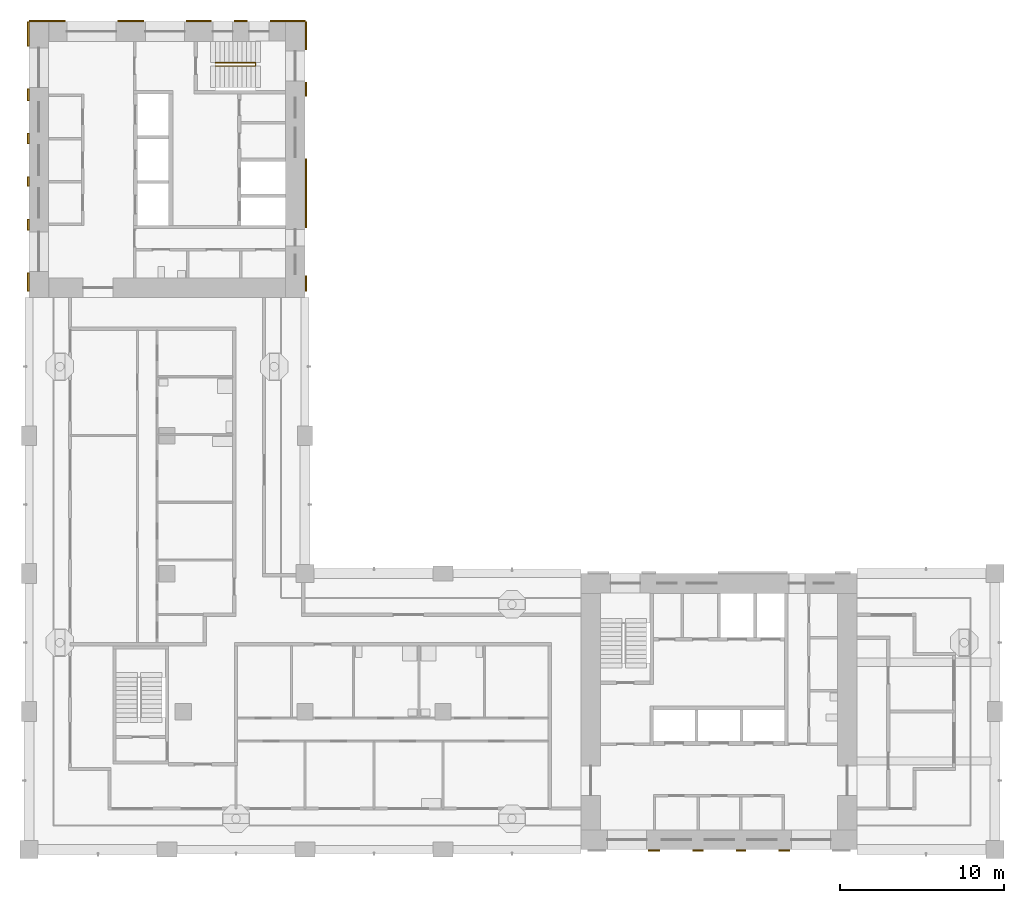
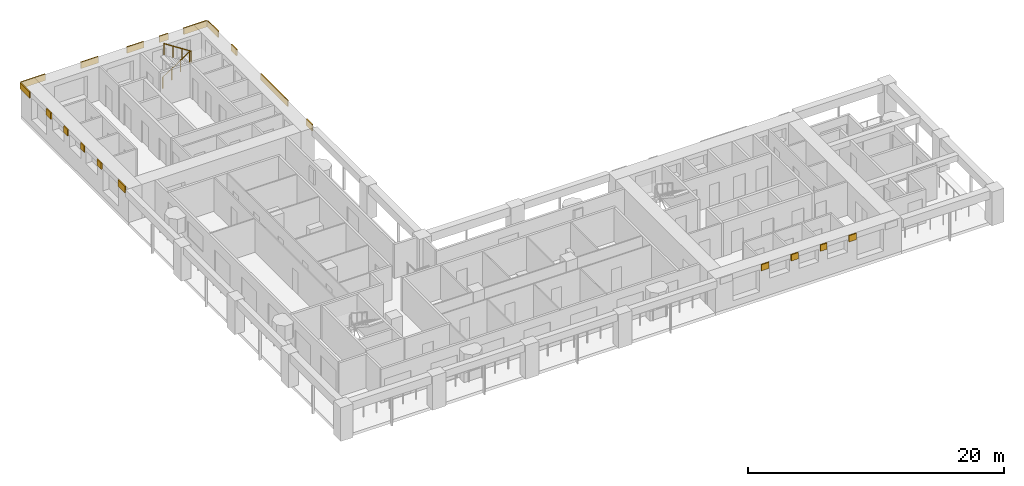
# One storey, part 10 of 13: 19 shading devices, 1 railing.
"""IFC4 building model written with IfcOpenShell, lengths in metres."""

from ifc_helpers import new_model, si_unit, direction, frame, origin, origin_2d, place, context, subcontext, project, spatial, rectangle, circle, extrude, material, layer, layer_set, type_object, element, save


model = new_model("IFC4")

# Units and contexts
model_context = context("Model", 3, precision=1e-05, world=origin(), true_north=direction((0.0, 1.0)))
body_context = subcontext(model_context, "Body", "Model", "MODEL_VIEW")
ifc_project = project(units=[si_unit("LENGTHUNIT", "METRE"), si_unit("AREAUNIT", "SQUARE_METRE"), si_unit("VOLUMEUNIT", "CUBIC_METRE"), si_unit("PLANEANGLEUNIT", "RADIAN"), si_unit("MASSUNIT", "GRAM", prefix="KILO")], contexts=[model_context])

# Site, building, storey
site_placement = place(None, origin())
site = spatial("IfcSite", under=ifc_project, at=site_placement, CompositionType="ELEMENT")
building_placement = place(site_placement, origin())
building = spatial("IfcBuilding", under=site, at=building_placement, Name="Vermilion Gate Residences", CompositionType="ELEMENT")
storey_placement = place(building_placement, frame((0.0, 0.0, 189.699951171875)))
storey = spatial("IfcBuildingStorey", under=building, at=storey_placement, Name="L49", CompositionType="ELEMENT", Elevation=189.699951171875)

# Railing
ifc_material_1 = material(Name="Steel S355", Category="steel")
railing_type = type_object("IfcRailingType", Name="STAIR GUARD 1100 STEEL", PredefinedType="GUARDRAIL", material=ifc_material_1)
railing_placement = place(storey_placement, frame((19.75, 56.300048828125, 0.175048828125)))
element("IfcRailing", 1, at=railing_placement, inside=storey, type_object=railing_type, Name="Stair well guard STB1-49", PredefinedType="GUARDRAIL", context=body_context, shape_type="SweptSolid", body=[
    extrude(circle(Radius=0.02392578125, at=origin_2d()), frame((0.0, 0.0, 1.076171875), z_axis=(0.839153699163, 0.0, 0.543894354798), x_axis=(0.0, 1.0, 0.0)), (0.0, 0.0, 1.0), 2.895751953125),
    extrude(circle(Radius=0.02392578125, at=origin_2d()), frame((2.429931640625, 0.0, 2.65087890625), z_axis=(0.0, -0.752405939678, 0.658699705433), x_axis=(1.0, 0.0, 0.0)), (0.0, 0.0, 1.0), 0.265869140625),
    extrude(circle(Radius=0.02392578125, at=origin_2d()), frame((2.429931640625, -0.199951171875, 2.826171875), z_axis=(-0.839153699163, 0.0, 0.543894354798), x_axis=(0.0, -1.0, 0.0)), (0.0, 0.0, 1.0), 2.895751953125),
    extrude(circle(Radius=0.02099609375, at=origin_2d()), origin(), (0.0, 0.0, 1.0), 1.052001953125),
    extrude(circle(Radius=0.02099609375, at=origin_2d()), frame((0.81005859375, 0.0, 0.52490234375)), (0.0, 0.0, 1.0), 1.052001953125),
    extrude(circle(Radius=0.02099609375, at=origin_2d()), frame((1.619873046875, 0.0, 1.050048828125)), (0.0, 0.0, 1.0), 1.052001953125),
    extrude(circle(Radius=0.02099609375, at=origin_2d()), frame((2.429931640625, 0.0, 1.574951171875)), (0.0, 0.0, 1.0), 1.052001953125),
    extrude(circle(Radius=0.02099609375, at=origin_2d()), frame((2.429931640625, -0.199951171875, 1.75)), (0.0, 0.0, 1.0), 1.052001953125),
    extrude(circle(Radius=0.02099609375, at=origin_2d()), frame((1.619873046875, -0.199951171875, 2.27490234375)), (0.0, 0.0, 1.0), 1.052001953125),
    extrude(circle(Radius=0.02099609375, at=origin_2d()), frame((0.81005859375, -0.199951171875, 2.800048828125)), (0.0, 0.0, 1.0), 1.052001953125),
    extrude(circle(Radius=0.02099609375, at=origin_2d()), frame((0.0, -0.199951171875, 3.324951171875)), (0.0, 0.0, 1.0), 1.052001953125),
])

# Shading devices
ifc_material_2 = material(Name="Extruded terracotta", Category="masonry")
ifc_layer = layer(ifc_material_2, 0.10009765625)
ifc_layer_set = layer_set([ifc_layer], Name="TERRACOTTA SPANDREL BAND 600 X 100")
shading_device_type = type_object("IfcShadingDeviceType", Name="TERRACOTTA SPANDREL BAND 600 X 100", PredefinedType="USERDEFINED", material=ifc_layer_set)
shading_device_1_placement = place(storey_placement, frame((46.4541015625, 8.35009765625, 2.6201171875), z_axis=(0.0, 0.0, 1.0), x_axis=(1.0, 0.0, 0.0)))
element("IfcShadingDevice", 2, at=shading_device_1_placement, inside=storey, type_object=shading_device_type, Name="SPANDREL BAND", ObjectType="BAND", PredefinedType="USERDEFINED", context=body_context, shape_type="SweptSolid", body=[
    extrude(rectangle(XDim=0.7080078125, YDim=0.10009765625, at=origin_2d()), origin(), (0.0, 0.0, 1.0), 0.60009765625),
])
shading_device_2_placement = place(storey_placement, frame((49.12255859375, 8.35009765625, 2.6201171875), z_axis=(0.0, 0.0, 1.0), x_axis=(1.0, 0.0, 0.0)))
element("IfcShadingDevice", 3, at=shading_device_2_placement, inside=storey, type_object=shading_device_type, Name="SPANDREL BAND", ObjectType="BAND", PredefinedType="USERDEFINED", context=body_context, shape_type="SweptSolid", body=[
    extrude(rectangle(XDim=0.62890625, YDim=0.10009765625, at=origin_2d()), origin(), (0.0, 0.0, 1.0), 0.60009765625),
])
shading_device_3_placement = place(storey_placement, frame((51.73291015625, 8.35009765625, 2.6201171875), z_axis=(0.0, 0.0, 1.0), x_axis=(1.0, 0.0, 0.0)))
element("IfcShadingDevice", 4, at=shading_device_3_placement, inside=storey, type_object=shading_device_type, Name="SPANDREL BAND", ObjectType="BAND", PredefinedType="USERDEFINED", context=body_context, shape_type="SweptSolid", body=[
    extrude(rectangle(XDim=0.592041015625, YDim=0.10009765625, at=origin_2d()), origin(), (0.0, 0.0, 1.0), 0.60009765625),
])
shading_device_4_placement = place(storey_placement, frame((54.364501953125, 8.35009765625, 2.6201171875), z_axis=(0.0, 0.0, 1.0), x_axis=(1.0, 0.0, 0.0)))
element("IfcShadingDevice", 5, at=shading_device_4_placement, inside=storey, type_object=shading_device_type, Name="SPANDREL BAND", ObjectType="BAND", PredefinedType="USERDEFINED", context=body_context, shape_type="SweptSolid", body=[
    extrude(rectangle(XDim=0.6708984375, YDim=0.10009765625, at=origin_2d()), origin(), (0.0, 0.0, 1.0), 0.60009765625),
])
shading_device_5_placement = place(storey_placement, frame((9.50244140625, 58.85009765625, 2.6201171875), z_axis=(0.0, 0.0, 1.0), x_axis=(1.0, 0.0, 0.0)))
element("IfcShadingDevice", 6, at=shading_device_5_placement, inside=storey, type_object=shading_device_type, Name="SPANDREL BAND", ObjectType="BAND", PredefinedType="USERDEFINED", context=body_context, shape_type="SweptSolid", body=[
    extrude(rectangle(XDim=2.205078125, YDim=0.10009765625, at=origin_2d()), origin(), (0.0, 0.0, 1.0), 0.60009765625),
])
shading_device_6_placement = place(storey_placement, frame((14.590087890625, 58.85009765625, 2.6201171875), z_axis=(0.0, 0.0, 1.0), x_axis=(1.0, 0.0, 0.0)))
element("IfcShadingDevice", 7, at=shading_device_6_placement, inside=storey, type_object=shading_device_type, Name="SPANDREL BAND", ObjectType="BAND", PredefinedType="USERDEFINED", context=body_context, shape_type="SweptSolid", body=[
    extrude(rectangle(XDim=1.570068359375, YDim=0.10009765625, at=origin_2d()), origin(), (0.0, 0.0, 1.0), 0.60009765625),
])
shading_device_7_placement = place(storey_placement, frame((18.734130859375, 58.85009765625, 2.6201171875), z_axis=(0.0, 0.0, 1.0), x_axis=(1.0, 0.0, 0.0)))
element("IfcShadingDevice", 8, at=shading_device_7_placement, inside=storey, type_object=shading_device_type, Name="SPANDREL BAND", ObjectType="BAND", PredefinedType="USERDEFINED", context=body_context, shape_type="SweptSolid", body=[
    extrude(rectangle(XDim=1.518310546875, YDim=0.10009765625, at=origin_2d()), origin(), (0.0, 0.0, 1.0), 0.60009765625),
])
shading_device_8_placement = place(storey_placement, frame((21.294921875, 58.85009765625, 2.6201171875), z_axis=(0.0, 0.0, 1.0), x_axis=(1.0, 0.0, 0.0)))
element("IfcShadingDevice", 9, at=shading_device_8_placement, inside=storey, type_object=shading_device_type, Name="SPANDREL BAND", ObjectType="BAND", PredefinedType="USERDEFINED", context=body_context, shape_type="SweptSolid", body=[
    extrude(rectangle(XDim=0.803466796875, YDim=0.10009765625, at=origin_2d()), origin(), (0.0, 0.0, 1.0), 0.60009765625),
])
shading_device_9_placement = place(storey_placement, frame((24.1484375, 58.85009765625, 2.6201171875), z_axis=(0.0, 0.0, 1.0), x_axis=(1.0, 0.0, 0.0)))
element("IfcShadingDevice", 10, at=shading_device_9_placement, inside=storey, type_object=shading_device_type, Name="SPANDREL BAND", ObjectType="BAND", PredefinedType="USERDEFINED", context=body_context, shape_type="SweptSolid", body=[
    extrude(rectangle(XDim=2.103271484375, YDim=0.10009765625, at=origin_2d()), origin(), (0.0, 0.0, 1.0), 0.60009765625),
])
shading_device_10_placement = place(storey_placement, frame((8.35009765625, 42.949951171875, 2.6201171875), z_axis=(0.0, 0.0, 1.0), x_axis=(0.0, 1.0, 0.0)))
element("IfcShadingDevice", 11, at=shading_device_10_placement, inside=storey, type_object=shading_device_type, Name="SPANDREL BAND", ObjectType="BAND", PredefinedType="USERDEFINED", context=body_context, shape_type="SweptSolid", body=[
    extrude(rectangle(XDim=1.10009765625, YDim=0.10009765625, at=origin_2d()), origin(), (0.0, 0.0, 1.0), 0.60009765625),
])
shading_device_11_placement = place(storey_placement, frame((8.35009765625, 46.435546875, 2.6201171875), z_axis=(0.0, 0.0, 1.0), x_axis=(0.0, 1.0, 0.0)))
element("IfcShadingDevice", 12, at=shading_device_11_placement, inside=storey, type_object=shading_device_type, Name="SPANDREL BAND", ObjectType="BAND", PredefinedType="USERDEFINED", context=body_context, shape_type="SweptSolid", body=[
    extrude(rectangle(XDim=0.6708984375, YDim=0.10009765625, at=origin_2d()), origin(), (0.0, 0.0, 1.0), 0.60009765625),
])
shading_device_12_placement = place(storey_placement, frame((8.35009765625, 49.06689453125, 2.6201171875), z_axis=(0.0, 0.0, 1.0), x_axis=(0.0, 1.0, 0.0)))
element("IfcShadingDevice", 13, at=shading_device_12_placement, inside=storey, type_object=shading_device_type, Name="SPANDREL BAND", ObjectType="BAND", PredefinedType="USERDEFINED", context=body_context, shape_type="SweptSolid", body=[
    extrude(rectangle(XDim=0.592041015625, YDim=0.10009765625, at=origin_2d()), origin(), (0.0, 0.0, 1.0), 0.60009765625),
])
shading_device_13_placement = place(storey_placement, frame((8.35009765625, 51.677490234375, 2.6201171875), z_axis=(0.0, 0.0, 1.0), x_axis=(0.0, 1.0, 0.0)))
element("IfcShadingDevice", 14, at=shading_device_13_placement, inside=storey, type_object=shading_device_type, Name="SPANDREL BAND", ObjectType="BAND", PredefinedType="USERDEFINED", context=body_context, shape_type="SweptSolid", body=[
    extrude(rectangle(XDim=0.62890625, YDim=0.10009765625, at=origin_2d()), origin(), (0.0, 0.0, 1.0), 0.60009765625),
])
shading_device_14_placement = place(storey_placement, frame((8.35009765625, 54.345947265625, 2.6201171875), z_axis=(0.0, 0.0, 1.0), x_axis=(0.0, 1.0, 0.0)))
element("IfcShadingDevice", 15, at=shading_device_14_placement, inside=storey, type_object=shading_device_type, Name="SPANDREL BAND", ObjectType="BAND", PredefinedType="USERDEFINED", context=body_context, shape_type="SweptSolid", body=[
    extrude(rectangle(XDim=0.7080078125, YDim=0.10009765625, at=origin_2d()), origin(), (0.0, 0.0, 1.0), 0.60009765625),
])
shading_device_15_placement = place(storey_placement, frame((8.35009765625, 58.050048828125, 2.6201171875), z_axis=(0.0, 0.0, 1.0), x_axis=(0.0, 1.0, 0.0)))
element("IfcShadingDevice", 16, at=shading_device_15_placement, inside=storey, type_object=shading_device_type, Name="SPANDREL BAND", ObjectType="BAND", PredefinedType="USERDEFINED", context=body_context, shape_type="SweptSolid", body=[
    extrude(rectangle(XDim=1.5, YDim=0.10009765625, at=origin_2d()), origin(), (0.0, 0.0, 1.0), 0.60009765625),
])
shading_device_16_placement = place(storey_placement, frame((25.25, 42.862548828125, 2.6201171875), z_axis=(0.0, 0.0, 1.0), x_axis=(0.0, 1.0, 0.0)))
element("IfcShadingDevice", 17, at=shading_device_16_placement, inside=storey, type_object=shading_device_type, Name="SPANDREL BAND", ObjectType="BAND", PredefinedType="USERDEFINED", context=body_context, shape_type="SweptSolid", body=[
    extrude(rectangle(XDim=0.925048828125, YDim=0.10009765625, at=origin_2d()), origin(), (0.0, 0.0, 1.0), 0.60009765625),
])
shading_device_17_placement = place(storey_placement, frame((25.25, 48.35009765625, 2.6201171875), z_axis=(0.0, 0.0, 1.0), x_axis=(0.0, 1.0, 0.0)))
element("IfcShadingDevice", 18, at=shading_device_17_placement, inside=storey, type_object=shading_device_type, Name="SPANDREL BAND", ObjectType="BAND", PredefinedType="USERDEFINED", context=body_context, shape_type="SweptSolid", body=[
    extrude(rectangle(XDim=4.199951171875, YDim=0.10009765625, at=origin_2d()), origin(), (0.0, 0.0, 1.0), 0.60009765625),
])
shading_device_18_placement = place(storey_placement, frame((25.25, 54.67822265625, 2.6201171875), z_axis=(0.0, 0.0, 1.0), x_axis=(0.0, 1.0, 0.0)))
element("IfcShadingDevice", 19, at=shading_device_18_placement, inside=storey, type_object=shading_device_type, Name="SPANDREL BAND", ObjectType="BAND", PredefinedType="USERDEFINED", context=body_context, shape_type="SweptSolid", body=[
    extrude(rectangle(XDim=0.84375, YDim=0.10009765625, at=origin_2d()), origin(), (0.0, 0.0, 1.0), 0.60009765625),
])
shading_device_19_placement = place(storey_placement, frame((25.25, 57.949951171875, 2.6201171875), z_axis=(0.0, 0.0, 1.0), x_axis=(0.0, 1.0, 0.0)))
element("IfcShadingDevice", 20, at=shading_device_19_placement, inside=storey, type_object=shading_device_type, Name="SPANDREL BAND", ObjectType="BAND", PredefinedType="USERDEFINED", context=body_context, shape_type="SweptSolid", body=[
    extrude(rectangle(XDim=1.699951171875, YDim=0.10009765625, at=origin_2d()), origin(), (0.0, 0.0, 1.0), 0.60009765625),
])

save(model, "model.ifc")
